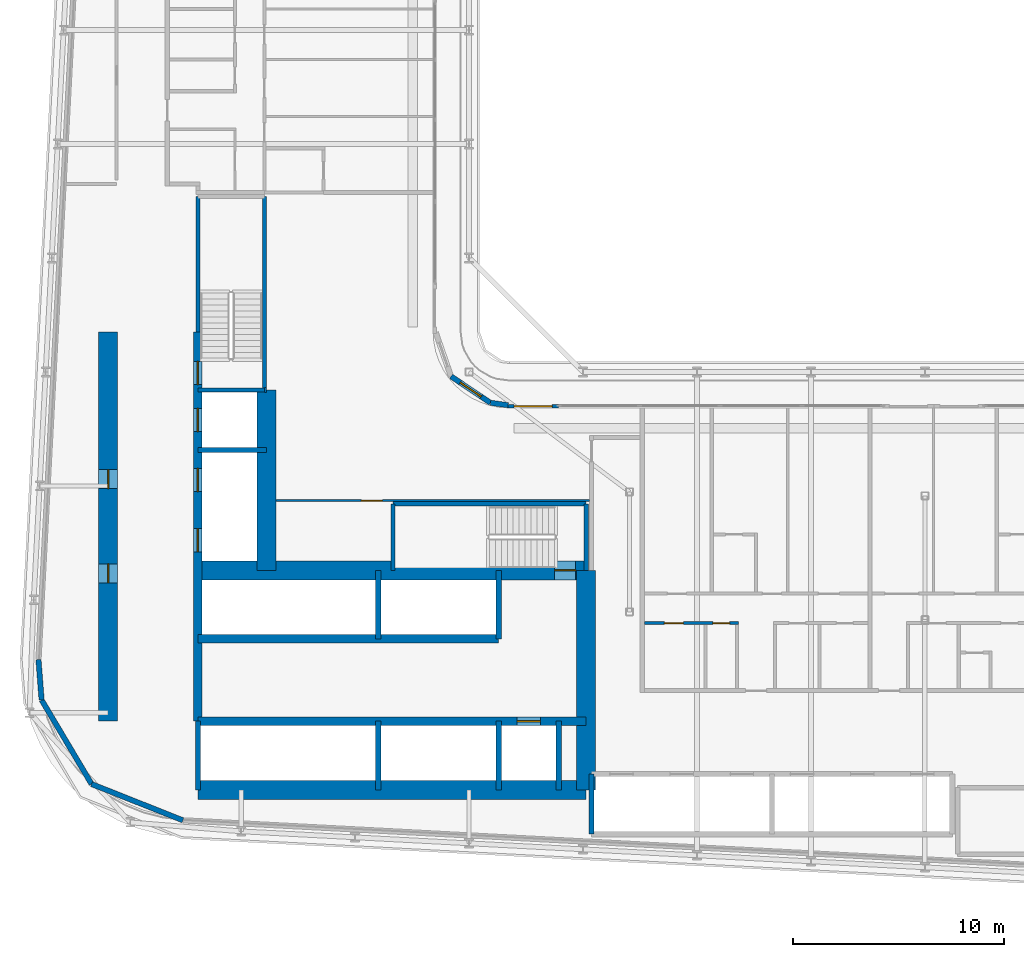
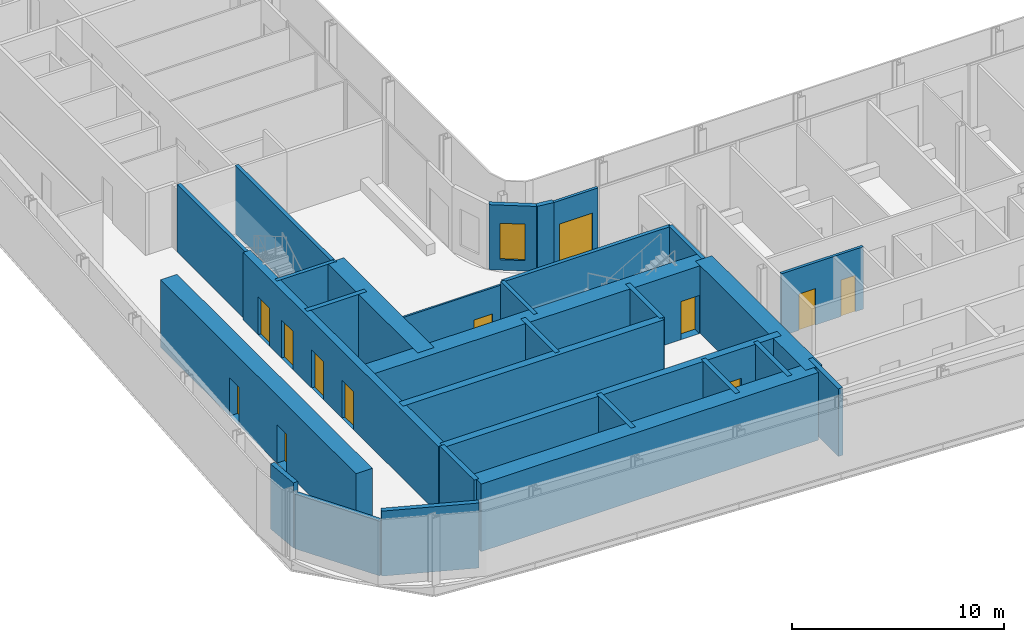
# One storey, part 14 of 29: 31 walls, 12 doors, 1 window, 13 openings.
"""IFC4 building model written with IfcOpenShell, lengths in metres."""

from ifc_helpers import new_model, si_unit, direction, frame, frame_2d, origin, place, context, subcontext, project, spatial, rectangle, extrude, source, transform, mapped, material, layer, layer_set, type_object, element, fill, save


model = new_model("IFC4")

# Units and contexts
model_context = context("Model", 3, precision=1e-05, world=origin(), true_north=direction((0.0, 1.0)))
body_context = subcontext(model_context, "Body", "Model", "MODEL_VIEW")
ifc_project = project(units=[si_unit("LENGTHUNIT", "METRE"), si_unit("AREAUNIT", "SQUARE_METRE"), si_unit("VOLUMEUNIT", "CUBIC_METRE"), si_unit("PLANEANGLEUNIT", "RADIAN"), si_unit("MASSUNIT", "GRAM", prefix="KILO")], contexts=[model_context])

# Site, building, storey
site_placement = place(None, origin())
site = spatial("IfcSite", under=ifc_project, at=site_placement, CompositionType="ELEMENT")
building_placement = place(site_placement, origin())
building = spatial("IfcBuilding", under=site, at=building_placement, Name="Kheshtan School and Residences Tower", CompositionType="ELEMENT")
storey_placement = place(building_placement, frame((0.0, 0.0, 121.39990234375)))
storey = spatial("IfcBuildingStorey", under=building, at=storey_placement, Name="L28", CompositionType="ELEMENT", Elevation=121.39990234375)

# Wall, opening, door
ifc_material_1 = material(Name="Concrete C50/60", Category="concrete")
ifc_layer_1 = layer(ifc_material_1, 0.39990234375)
ifc_layer_set_1 = layer_set([ifc_layer_1], Name="Core wall 400 Concrete C50/60")
wall_type_1 = type_object("IfcWallType", Name="Core wall 400 Concrete C50/60", PredefinedType="SHEAR", material=ifc_layer_set_1)
wall_1_placement = place(storey_placement, frame((34.75, 29.050048828125, 0.0), z_axis=(0.0, 0.0, 1.0), x_axis=(1.0, 0.0, 0.0)))
wall_1 = element("IfcWall", 1, at=wall_1_placement, inside=storey, type_object=wall_type_1, Name="Core wall CW-HALL-S1", PredefinedType="SHEAR", context=body_context, shape_type="SweptSolid", body=[
    extrude(rectangle(XDim=18.39990234375, YDim=0.39990234375, at=frame_2d((9.199951171875, 0.0))), origin(), (0.0, 0.0, 1.0), 3.900146484375),
])
opening_1_placement = place(wall_1_placement, frame((15.125, 0.0, 0.0)))
opening_1 = element("IfcOpeningElement", 2, at=opening_1_placement, cuts=wall_1, Name="Opening LD", PredefinedType="OPENING", context=body_context, shape_type="SweptSolid", body=[
    extrude(rectangle(XDim=1.10009765625, YDim=2.199951171875, at=frame_2d((0.550048828125, 1.10009765625))), frame((0.0, 0.2099609375, 0.0), z_axis=(0.0, -1.0, 0.0), x_axis=(1.0, 0.0, 0.0)), (0.0, 0.0, 1.0), 0.419921875),
])
ifc_material_2 = material(Name="Stainless steel door leaves", Category="steel")
door_type_1 = type_object("IfcDoorType", Name="Lift landing door 1100", OperationType="SLIDING_TO_LEFT", PredefinedType="DOOR", material=ifc_material_2)
shared_shape_1 = source(origin(), body_context, "Body", "SweptSolid", [
    extrude(rectangle(XDim=1.10009765625, YDim=2.199951171875, at=frame_2d((0.550048828125, 1.10009765625))), frame((0.0, 0.02490234375, 0.0), z_axis=(0.0, -1.0, 0.0), x_axis=(1.0, 0.0, 0.0)), (0.0, 0.0, 1.0), 0.050048828125),
])
door_1_placement = place(opening_1_placement, origin())
door_1 = element("IfcDoor", 3, at=door_1_placement, inside=storey, type_object=door_type_1, Name="Lift FFL2 landing door", OperationType="SLIDING_TO_LEFT", OverallHeight=2.199951171875, OverallWidth=1.10009765625, PredefinedType="DOOR", context=body_context, shape_type="MappedRepresentation", body=[
    mapped(shared_shape_1, transform((0.0, 0.0, 0.0), x_axis=(1.0, 0.0, 0.0), y_axis=(0.0, 1.0, 0.0), z_axis=(0.0, 0.0, 1.0), scale=1.0)),
])
fill(opening_1, door_1)

# Wall
wall_2_placement = place(storey_placement, frame((34.75, 32.949951171875, 0.0), z_axis=(0.0, 0.0, 1.0), x_axis=(1.0, 0.0, 0.0)))
element("IfcWall", 4, at=wall_2_placement, inside=storey, type_object=wall_type_1, Name="Core wall CW-HALL-S2", PredefinedType="SHEAR", context=body_context, shape_type="SweptSolid", body=[
    extrude(rectangle(XDim=14.25, YDim=0.39990234375, at=frame_2d((7.125, 0.0))), origin(), (0.0, 0.0, 1.0), 3.900146484375),
])

# Wall, openings, doors
wall_3_placement = place(storey_placement, frame((34.75, 29.050048828125, 0.0), z_axis=(0.0, 0.0, 1.0), x_axis=(0.0, 1.0, 0.0)))
wall_3 = element("IfcWall", 5, at=wall_3_placement, inside=storey, type_object=wall_type_1, Name="Core wall CW-HALL-W1", PredefinedType="SHEAR", context=body_context, shape_type="SweptSolid", body=[
    extrude(rectangle(XDim=18.449951171875, YDim=0.39990234375, at=frame_2d((9.22509765625, 0.0))), origin(), (0.0, 0.0, 1.0), 3.900146484375),
])
opening_2_placement = place(wall_3_placement, frame((8.02490234375, 0.0, 0.0)))
opening_2 = element("IfcOpeningElement", 6, at=opening_2_placement, cuts=wall_3, Name="Opening LD", PredefinedType="OPENING", context=body_context, shape_type="SweptSolid", body=[
    extrude(rectangle(XDim=1.10009765625, YDim=2.199951171875, at=frame_2d((0.550048828125, 1.10009765625))), frame((0.0, 0.2099609375, 0.0), z_axis=(0.0, -1.0, 0.0), x_axis=(1.0, 0.0, 0.0)), (0.0, 0.0, 1.0), 0.419921875),
])
opening_3_placement = place(wall_3_placement, frame((10.875, 0.0, 0.0)))
opening_3 = element("IfcOpeningElement", 7, at=opening_3_placement, cuts=wall_3, Name="Opening LD", PredefinedType="OPENING", context=body_context, shape_type="SweptSolid", body=[
    extrude(rectangle(XDim=1.10009765625, YDim=2.199951171875, at=frame_2d((0.550048828125, 1.10009765625))), frame((0.0, 0.2099609375, 0.0), z_axis=(0.0, -1.0, 0.0), x_axis=(1.0, 0.0, 0.0)), (0.0, 0.0, 1.0), 0.419921875),
])
opening_4_placement = place(wall_3_placement, frame((13.72509765625, 0.0, 0.0)))
opening_4 = element("IfcOpeningElement", 8, at=opening_4_placement, cuts=wall_3, Name="Opening LD", PredefinedType="OPENING", context=body_context, shape_type="SweptSolid", body=[
    extrude(rectangle(XDim=1.10009765625, YDim=2.199951171875, at=frame_2d((0.550048828125, 1.10009765625))), frame((0.0, 0.2099609375, 0.0), z_axis=(0.0, -1.0, 0.0), x_axis=(1.0, 0.0, 0.0)), (0.0, 0.0, 1.0), 0.419921875),
])
opening_5_placement = place(wall_3_placement, frame((15.949951171875, 0.0, 0.0)))
opening_5 = element("IfcOpeningElement", 9, at=opening_5_placement, cuts=wall_3, Name="Opening ST2D", PredefinedType="OPENING", context=body_context, shape_type="SweptSolid", body=[
    extrude(rectangle(XDim=1.10009765625, YDim=2.199951171875, at=frame_2d((0.550048828125, 1.10009765625))), frame((0.0, 0.2099609375, 0.0), z_axis=(0.0, -1.0, 0.0), x_axis=(1.0, 0.0, 0.0)), (0.0, 0.0, 1.0), 0.419921875),
])
door_2_placement = place(opening_2_placement, origin())
door_2 = element("IfcDoor", 10, at=door_2_placement, inside=storey, type_object=door_type_1, Name="Lift SV1 landing door", OperationType="SLIDING_TO_LEFT", OverallHeight=2.199951171875, OverallWidth=1.10009765625, PredefinedType="DOOR", context=body_context, shape_type="MappedRepresentation", body=[
    mapped(shared_shape_1, transform((0.0, 0.0, 0.0), x_axis=(1.0, 0.0, 0.0), y_axis=(0.0, 1.0, 0.0), z_axis=(0.0, 0.0, 1.0), scale=1.0)),
])
fill(opening_2, door_2)
door_3_placement = place(opening_3_placement, origin())
door_3 = element("IfcDoor", 11, at=door_3_placement, inside=storey, type_object=door_type_1, Name="Lift SV2 landing door", OperationType="SLIDING_TO_LEFT", OverallHeight=2.199951171875, OverallWidth=1.10009765625, PredefinedType="DOOR", context=body_context, shape_type="MappedRepresentation", body=[
    mapped(shared_shape_1, transform((0.0, 0.0, 0.0), x_axis=(1.0, 0.0, 0.0), y_axis=(0.0, 1.0, 0.0), z_axis=(0.0, 0.0, 1.0), scale=1.0)),
])
fill(opening_3, door_3)
door_4_placement = place(opening_4_placement, origin())
door_4 = element("IfcDoor", 12, at=door_4_placement, inside=storey, type_object=door_type_1, Name="Lift FFL1 landing door", OperationType="SLIDING_TO_LEFT", OverallHeight=2.199951171875, OverallWidth=1.10009765625, PredefinedType="DOOR", context=body_context, shape_type="MappedRepresentation", body=[
    mapped(shared_shape_1, transform((0.0, 0.0, 0.0), x_axis=(1.0, 0.0, 0.0), y_axis=(0.0, 1.0, 0.0), z_axis=(0.0, 0.0, 1.0), scale=1.0)),
])
fill(opening_4, door_4)
ifc_material_3 = material(Name="Steel door leaf, galvanised", Category="steel")
door_type_2 = type_object("IfcDoorType", Name="Stair door 1100 steel 90 min", OperationType="SINGLE_SWING_LEFT", PredefinedType="DOOR", material=ifc_material_3)
shared_shape_2 = source(origin(), body_context, "Body", "SweptSolid", [
    extrude(rectangle(XDim=1.10009765625, YDim=2.199951171875, at=frame_2d((0.550048828125, 1.10009765625))), frame((0.0, 0.02490234375, 0.0), z_axis=(0.0, -1.0, 0.0), x_axis=(1.0, 0.0, 0.0)), (0.0, 0.0, 1.0), 0.050048828125),
])
door_5_placement = place(opening_5_placement, origin())
door_5 = element("IfcDoor", 13, at=door_5_placement, inside=storey, type_object=door_type_2, Name="Stair ST2 door", OperationType="SINGLE_SWING_RIGHT", OverallHeight=2.199951171875, OverallWidth=1.10009765625, PredefinedType="DOOR", context=body_context, shape_type="MappedRepresentation", body=[
    mapped(shared_shape_2, transform((0.0, 0.0, 0.0), x_axis=(1.0, 0.0, 0.0), y_axis=(0.0, 1.0, 0.0), z_axis=(0.0, 0.0, 1.0), scale=1.0)),
])
fill(opening_5, door_5)

# Wall
ifc_material_4 = material(Name="Concrete C80/95", Category="concrete")
ifc_layer_2 = layer(ifc_material_4, 0.89990234375)
ifc_layer_set_2 = layer_set([ifc_layer_2], Name="Core wall 900 Concrete C80/95")
wall_type_2 = type_object("IfcWallType", Name="Core wall 900 Concrete C80/95", PredefinedType="SHEAR", material=ifc_layer_set_2)
wall_4_placement = place(storey_placement, frame((34.75, 25.800048828125, 0.0), z_axis=(0.0, 0.0, 1.0), x_axis=(1.0, 0.0, 0.0)))
element("IfcWall", 14, at=wall_4_placement, inside=storey, type_object=wall_type_2, Name="Core wall CW-REAR-S", PredefinedType="SHEAR", context=body_context, shape_type="SweptSolid", body=[
    extrude(rectangle(XDim=18.39990234375, YDim=0.89990234375, at=frame_2d((9.199951171875, 0.0))), origin(), (0.0, 0.0, 1.0), 3.900146484375),
])

# Wall, opening, door
wall_5_placement = place(storey_placement, frame((34.75, 36.199951171875, 0.0), z_axis=(0.0, 0.0, 1.0), x_axis=(1.0, 0.0, 0.0)))
wall_5 = element("IfcWall", 15, at=wall_5_placement, inside=storey, type_object=wall_type_2, Name="Core wall CW-FRONT-S", PredefinedType="SHEAR", context=body_context, shape_type="SweptSolid", body=[
    extrude(rectangle(XDim=18.39990234375, YDim=0.89990234375, at=frame_2d((9.199951171875, 0.0))), origin(), (0.0, 0.0, 1.0), 3.900146484375),
])
opening_6_placement = place(wall_5_placement, frame((16.89990234375, 0.0, 0.0)))
opening_6 = element("IfcOpeningElement", 16, at=opening_6_placement, cuts=wall_5, Name="Opening ST1D", PredefinedType="OPENING", context=body_context, shape_type="SweptSolid", body=[
    extrude(rectangle(XDim=1.0, YDim=2.199951171875, at=frame_2d((0.5, 1.10009765625))), frame((0.0, 0.4599609375, 0.0), z_axis=(0.0, -1.0, 0.0), x_axis=(1.0, 0.0, 0.0)), (0.0, 0.0, 1.0), 0.919921875),
])
shared_shape_3 = source(origin(), body_context, "Body", "SweptSolid", [
    extrude(rectangle(XDim=1.0, YDim=2.199951171875, at=frame_2d((0.5, 1.10009765625))), frame((0.0, 0.02490234375, 0.0), z_axis=(0.0, -1.0, 0.0), x_axis=(1.0, 0.0, 0.0)), (0.0, 0.0, 1.0), 0.050048828125),
])
door_6_placement = place(opening_6_placement, origin())
door_6 = element("IfcDoor", 17, at=door_6_placement, inside=storey, type_object=door_type_2, Name="Stair ST1 door", OperationType="SINGLE_SWING_RIGHT", OverallHeight=2.199951171875, OverallWidth=1.0, PredefinedType="DOOR", context=body_context, shape_type="MappedRepresentation", body=[
    mapped(shared_shape_3, transform((0.0, 0.0, 0.0), x_axis=(1.0, 0.0, 0.0), y_axis=(0.0, 1.0, 0.0), z_axis=(0.0, 0.0, 1.0), scale=1.0)),
])
fill(opening_6, door_6)

# Wall
wall_6_placement = place(storey_placement, frame((38.0, 36.199951171875, 0.0), z_axis=(0.0, 0.0, 1.0), x_axis=(0.0, 1.0, 0.0)))
element("IfcWall", 18, at=wall_6_placement, inside=storey, type_object=wall_type_2, Name="Core wall CW-FRONT-W", PredefinedType="SHEAR", context=body_context, shape_type="SweptSolid", body=[
    extrude(rectangle(XDim=8.550048828125, YDim=0.89990234375, at=frame_2d((4.27490234375, 0.0))), origin(), (0.0, 0.0, 1.0), 3.900146484375),
])

# Wall, openings, doors
wall_7_placement = place(storey_placement, frame((30.5, 29.050048828125, 0.0), z_axis=(0.0, 0.0, 1.0), x_axis=(0.0, 1.0, 0.0)))
wall_7 = element("IfcWall", 19, at=wall_7_placement, inside=storey, type_object=wall_type_2, Name="Core wall CW-REAR-W", PredefinedType="SHEAR", context=body_context, shape_type="SweptSolid", body=[
    extrude(rectangle(XDim=18.449951171875, YDim=0.89990234375, at=frame_2d((9.22509765625, 0.0))), origin(), (0.0, 0.0, 1.0), 3.900146484375),
])
opening_7_placement = place(wall_7_placement, frame((6.550048828125, 0.0, 0.0)))
opening_7 = element("IfcOpeningElement", 20, at=opening_7_placement, cuts=wall_7, Name="Opening SR90", PredefinedType="OPENING", context=body_context, shape_type="SweptSolid", body=[
    extrude(rectangle(XDim=0.89990234375, YDim=2.199951171875, at=frame_2d((0.449951171875, 1.10009765625))), frame((0.0, 0.4599609375, 0.0), z_axis=(0.0, -1.0, 0.0), x_axis=(1.0, 0.0, 0.0)), (0.0, 0.0, 1.0), 0.919921875),
])
opening_8_placement = place(wall_7_placement, frame((11.02490234375, 0.0, 0.0)))
opening_8 = element("IfcOpeningElement", 21, at=opening_8_placement, cuts=wall_7, Name="Opening SR90", PredefinedType="OPENING", context=body_context, shape_type="SweptSolid", body=[
    extrude(rectangle(XDim=0.89990234375, YDim=2.199951171875, at=frame_2d((0.449951171875, 1.10009765625))), frame((0.0, 0.4599609375, 0.0), z_axis=(0.0, -1.0, 0.0), x_axis=(1.0, 0.0, 0.0)), (0.0, 0.0, 1.0), 0.919921875),
])
door_type_3 = type_object("IfcDoorType", Name="Service room door 900 steel 90 min", OperationType="SINGLE_SWING_LEFT", PredefinedType="DOOR", material=ifc_material_3)
shared_shape_4 = source(origin(), body_context, "Body", "SweptSolid", [
    extrude(rectangle(XDim=0.89990234375, YDim=2.199951171875, at=frame_2d((0.449951171875, 1.10009765625))), frame((0.0, 0.02490234375, 0.0), z_axis=(0.0, -1.0, 0.0), x_axis=(1.0, 0.0, 0.0)), (0.0, 0.0, 1.0), 0.050048828125),
])
door_7_placement = place(opening_7_placement, origin())
door_7 = element("IfcDoor", 22, at=door_7_placement, inside=storey, type_object=door_type_3, Name="Service room door", OperationType="SINGLE_SWING_RIGHT", OverallHeight=2.199951171875, OverallWidth=0.89990234375, PredefinedType="DOOR", context=body_context, shape_type="MappedRepresentation", body=[
    mapped(shared_shape_4, transform((0.0, 0.0, 0.0), x_axis=(1.0, 0.0, 0.0), y_axis=(0.0, 1.0, 0.0), z_axis=(0.0, 0.0, 1.0), scale=1.0)),
])
fill(opening_7, door_7)
door_8_placement = place(opening_8_placement, origin())
door_8 = element("IfcDoor", 23, at=door_8_placement, inside=storey, type_object=door_type_3, Name="Service room door", OperationType="SINGLE_SWING_RIGHT", OverallHeight=2.199951171875, OverallWidth=0.89990234375, PredefinedType="DOOR", context=body_context, shape_type="MappedRepresentation", body=[
    mapped(shared_shape_4, transform((0.0, 0.0, 0.0), x_axis=(1.0, 0.0, 0.0), y_axis=(0.0, 1.0, 0.0), z_axis=(0.0, 0.0, 1.0), scale=1.0)),
])
fill(opening_8, door_8)

# Walls
wall_8_placement = place(storey_placement, frame((53.14990234375, 25.800048828125, 0.0), z_axis=(0.0, 0.0, 1.0), x_axis=(0.0, 1.0, 0.0)))
element("IfcWall", 24, at=wall_8_placement, inside=storey, type_object=wall_type_2, Name="Core wall CW-EAST", PredefinedType="SHEAR", context=body_context, shape_type="SweptSolid", body=[
    extrude(rectangle(XDim=10.39990234375, YDim=0.89990234375, at=frame_2d((5.199951171875, 0.0))), origin(), (0.0, 0.0, 1.0), 3.900146484375),
])
ifc_material_5 = material(Name="Concrete C40/50 with ceramic cladding and mineral wool insulation", Category="concrete")
ifc_layer_3 = layer(ifc_material_5, 0.25)
ifc_layer_set_3 = layer_set([ifc_layer_3], Name="External wall 250 ceramic clad")
wall_type_3 = type_object("IfcWallType", Name="External wall 250 ceramic clad", PredefinedType="SOLIDWALL", material=ifc_layer_set_3)
wall_9_placement = place(storey_placement, frame((34.0390625, 24.35302734375, 0.0), z_axis=(0.0, 0.0, 1.0), x_axis=(-0.929352825399, 0.369192803184, 0.0)))
element("IfcWall", 25, at=wall_9_placement, inside=storey, type_object=wall_type_3, Name="External wall L28 1", PredefinedType="SOLIDWALL", context=body_context, shape_type="SweptSolid", body=[
    extrude(rectangle(XDim=4.656005859375, YDim=0.25, at=frame_2d((2.328125, 0.0))), origin(), (0.0, 0.0, 1.0), 3.75),
])
wall_10_placement = place(storey_placement, frame((29.7119140625, 26.072021484375, 0.0), z_axis=(0.0, 0.0, 1.0), x_axis=(-0.511028049012, 0.859564036662, 0.0)))
element("IfcWall", 26, at=wall_10_placement, inside=storey, type_object=wall_type_3, Name="External wall L28 2", PredefinedType="SOLIDWALL", context=body_context, shape_type="SweptSolid", body=[
    extrude(rectangle(XDim=4.633544921875, YDim=0.25, at=frame_2d((2.31689453125, 0.0))), origin(), (0.0, 0.0, 1.0), 3.147216796875),
])
wall_11_placement = place(storey_placement, frame((27.343994140625, 30.054931640625, 0.0), z_axis=(0.0, 0.0, 1.0), x_axis=(-0.077571675317, 0.99698677784, 0.0)))
element("IfcWall", 27, at=wall_11_placement, inside=storey, type_object=wall_type_3, Name="External wall L28 3", PredefinedType="SOLIDWALL", context=body_context, shape_type="SweptSolid", body=[
    extrude(rectangle(XDim=1.919921875, YDim=0.25, at=frame_2d((0.9599609375, 0.0))), origin(), (0.0, 0.0, 1.0), 3.75),
])

# Wall, opening, window
wall_12_placement = place(storey_placement, frame((46.742919921875, 45.388916015625, 0.0), z_axis=(0.0, 0.0, 1.0), x_axis=(0.831449265529, -0.555600682912, 0.0)))
wall_12 = element("IfcWall", 28, at=wall_12_placement, inside=storey, type_object=wall_type_3, Name="External wall L28 10", PredefinedType="SOLIDWALL", context=body_context, shape_type="SweptSolid", body=[
    extrude(rectangle(XDim=2.25146484375, YDim=0.25, at=frame_2d((1.125732421875, 0.0))), origin(), (0.0, 0.0, 1.0), 3.75),
])
opening_9_placement = place(wall_12_placement, frame((0.52490234375, 0.0, 0.60009765625)))
opening_9 = element("IfcOpeningElement", 29, at=opening_9_placement, cuts=wall_12, Name="Opening WN-E", PredefinedType="OPENING", context=body_context, shape_type="SweptSolid", body=[
    extrude(rectangle(XDim=1.199951171875, YDim=2.10009765625, at=frame_2d((0.60009765625, 1.050048828125))), frame((0.0, 0.135009765625, 0.0), z_axis=(0.0, -1.0, 0.0), x_axis=(1.0, 0.0, 0.0)), (0.0, 0.0, 1.0), 0.27001953125),
])
ifc_material_6 = material(Name="Clear low-e glass in thermally broken aluminium frame", Category="aluminium")
window_type = type_object("IfcWindowType", Name="Window WN-E", PartitioningType="SINGLE_PANEL", PredefinedType="WINDOW", material=ifc_material_6)
shared_shape_5 = source(origin(), body_context, "Body", "SweptSolid", [
    extrude(rectangle(XDim=1.199951171875, YDim=2.10009765625, at=frame_2d((0.60009765625, 1.050048828125))), frame((0.0, 0.030029296875, 0.0), z_axis=(0.0, -1.0, 0.0), x_axis=(1.0, 0.0, 0.0)), (0.0, 0.0, 1.0), 0.06005859375),
])
window_placement = place(opening_9_placement, origin())
window = element("IfcWindow", 30, at=window_placement, inside=storey, type_object=window_type, Name="Window L28 10", OverallHeight=2.10009765625, OverallWidth=1.199951171875, PartitioningType="SINGLE_PANEL", PredefinedType="WINDOW", context=body_context, shape_type="MappedRepresentation", body=[
    mapped(shared_shape_5, transform((0.0, 0.0, 0.0), x_axis=(1.0, 0.0, 0.0), y_axis=(0.0, 1.0, 0.0), z_axis=(0.0, 0.0, 1.0), scale=1.0)),
])
fill(opening_9, window)

# Wall
wall_13_placement = place(storey_placement, frame((48.614990234375, 44.137939453125, 0.0), z_axis=(0.0, 0.0, 1.0), x_axis=(0.990741504246, -0.135761819977, 0.0)))
element("IfcWall", 31, at=wall_13_placement, inside=storey, type_object=wall_type_3, Name="External wall L28 11", PredefinedType="SOLIDWALL", context=body_context, shape_type="SweptSolid", body=[
    extrude(rectangle(XDim=0.83984375, YDim=0.25, at=frame_2d((0.419921875, 0.0))), origin(), (0.0, 0.0, 1.0), 3.75),
])

# Wall, opening, door
ifc_material_7 = material(Name="Aluminium frame wall with insulated infill", Category="aluminium")
ifc_layer_4 = layer(ifc_material_7, 0.14990234375)
ifc_layer_set_4 = layer_set([ifc_layer_4], Name="Glazing frame wall 150")
wall_type_4 = type_object("IfcWallType", Name="Glazing frame wall 150", PredefinedType="SOLIDWALL", material=ifc_layer_set_4)
wall_14_placement = place(storey_placement, frame((49.429931640625, 43.97509765625, 0.0), z_axis=(0.0, 0.0, 1.0), x_axis=(1.0, 0.0, 0.0)))
wall_14 = element("IfcWall", 32, at=wall_14_placement, inside=storey, type_object=wall_type_4, Name="Balcony door wall L28 12.1", PredefinedType="SOLIDWALL", context=body_context, shape_type="SweptSolid", body=[
    extrude(rectangle(XDim=2.400146484375, YDim=0.14990234375, at=frame_2d((1.2001953125, 0.0))), origin(), (0.0, 0.0, 1.0), 3.75),
])
opening_10_placement = place(wall_14_placement, frame((0.300048828125, 0.0, 0.0)))
opening_10 = element("IfcOpeningElement", 33, at=opening_10_placement, cuts=wall_14, Name="Opening BD", PredefinedType="OPENING", context=body_context, shape_type="SweptSolid", body=[
    extrude(rectangle(XDim=1.800048828125, YDim=2.39990234375, at=frame_2d((0.89990234375, 1.199951171875))), frame((0.0, 0.0849609375, 0.0), z_axis=(0.0, -1.0, 0.0), x_axis=(1.0, 0.0, 0.0)), (0.0, 0.0, 1.0), 0.169921875),
])
door_type_4 = type_object("IfcDoorType", Name="Balcony sliding door", OperationType="SLIDING_TO_LEFT", PredefinedType="DOOR", material=ifc_material_6)
shared_shape_6 = source(origin(), body_context, "Body", "SweptSolid", [
    extrude(rectangle(XDim=1.800048828125, YDim=2.39990234375, at=frame_2d((0.89990234375, 1.199951171875))), frame((0.0, 0.02490234375, 0.0), z_axis=(0.0, -1.0, 0.0), x_axis=(1.0, 0.0, 0.0)), (0.0, 0.0, 1.0), 0.050048828125),
])
door_9_placement = place(opening_10_placement, origin())
door_9 = element("IfcDoor", 34, at=door_9_placement, inside=storey, type_object=door_type_4, Name="Balcony door L28 12.1", OperationType="SLIDING_TO_LEFT", OverallHeight=2.39990234375, OverallWidth=1.800048828125, PredefinedType="DOOR", context=body_context, shape_type="MappedRepresentation", body=[
    mapped(shared_shape_6, transform((0.0, 0.0, 0.0), x_axis=(1.0, 0.0, 0.0), y_axis=(0.0, 1.0, 0.0), z_axis=(0.0, 0.0, 1.0), scale=1.0)),
])
fill(opening_10, door_9)

ifc_material_8 = material(Name="Gypsum board on steel studs", Category="steel")
ifc_layer_5 = layer(ifc_material_8, 0.10009765625)
ifc_layer_set_5 = layer_set([ifc_layer_5], Name="Gypsum partition 100")
wall_type_5 = type_object("IfcWallType", Name="Gypsum partition 100", PredefinedType="PARTITIONING", material=ifc_layer_set_5)
wall_15_placement = place(storey_placement, frame((38.448974609375, 39.5, 0.0), z_axis=(0.0, 0.0, 1.0), x_axis=(1.0, 0.0, 0.0)))
wall_15 = element("IfcWall", 35, at=wall_15_placement, inside=storey, type_object=wall_type_5, Name="Partition L28-044", PredefinedType="PARTITIONING", context=body_context, shape_type="SweptSolid", body=[
    extrude(rectangle(XDim=14.85107421875, YDim=0.10009765625, at=frame_2d((7.425537109375, 0.0))), origin(), (0.0, 0.0, 1.0), 3.60009765625),
])
opening_11_placement = place(wall_15_placement, frame((4.047119140625, 0.0, 0.0)))
opening_11 = element("IfcOpeningElement", 36, at=opening_11_placement, cuts=wall_15, Name="Opening D27-066", PredefinedType="OPENING", context=body_context, shape_type="SweptSolid", body=[
    extrude(rectangle(XDim=1.0, YDim=2.10009765625, at=frame_2d((0.5, 1.050048828125))), frame((0.0, 0.06005859375, 0.0), z_axis=(0.0, -1.0, 0.0), x_axis=(1.0, 0.0, 0.0)), (0.0, 0.0, 1.0), 0.1201171875),
])
ifc_material_9 = material(Name="Veneered timber door leaf", Category="wood")
door_type_5 = type_object("IfcDoorType", Name="Door 1000 x 2100", OperationType="SINGLE_SWING_LEFT", PredefinedType="DOOR", material=ifc_material_9)
shared_shape_7 = source(origin(), body_context, "Body", "SweptSolid", [
    extrude(rectangle(XDim=1.0, YDim=2.10009765625, at=frame_2d((0.5, 1.050048828125))), frame((0.0, 0.02490234375, 0.0), z_axis=(0.0, -1.0, 0.0), x_axis=(1.0, 0.0, 0.0)), (0.0, 0.0, 1.0), 0.050048828125),
])
door_10_placement = place(opening_11_placement, origin())
door_10 = element("IfcDoor", 37, at=door_10_placement, inside=storey, type_object=door_type_5, Name="Door D27-066", OperationType="SINGLE_SWING_LEFT", OverallHeight=2.10009765625, OverallWidth=1.0, PredefinedType="DOOR", context=body_context, shape_type="MappedRepresentation", body=[
    mapped(shared_shape_7, transform((0.0, 0.0, 0.0), x_axis=(1.0, 0.0, 0.0), y_axis=(0.0, 1.0, 0.0), z_axis=(0.0, 0.0, 1.0), scale=1.0)),
])
fill(opening_11, door_10)

# Walls
ifc_material_10 = material(Name="Fire-board shaft wall system")
ifc_layer_6 = layer(ifc_material_10, 0.25)
ifc_layer_set_6 = layer_set([ifc_layer_6], Name="Shaft lining wall 250")
wall_type_6 = type_object("IfcWallType", Name="Shaft lining wall 250", PredefinedType="PARTITIONING", material=ifc_layer_set_6)
for number, where, z_axis, x_axis, name in (
    (38, (34.75, 25.800048828125, 0.0), (0.0, 0.0, 1.0), (0.0, 1.0, 0.0), "Shaft lining wall"),
    (39, (43.300048828125, 25.800048828125, 0.0), (0.0, 0.0, 1.0), (0.0, 1.0, 0.0), "Shaft lining wall"),
    (40, (43.300048828125, 32.949951171875, 0.0), (0.0, 0.0, 1.0), (0.0, 1.0, 0.0), "Shaft lining wall"),
    (41, (49.0, 25.800048828125, 0.0), (0.0, 0.0, 1.0), (0.0, 1.0, 0.0), "Shaft lining wall"),
    (42, (49.0, 32.949951171875, 0.0), (0.0, 0.0, 1.0), (0.0, 1.0, 0.0), "Shaft lining wall"),
    (43, (51.85009765625, 25.800048828125, 0.0), (0.0, 0.0, 1.0), (0.0, 1.0, 0.0), "Shaft lining wall"),
):
    element("IfcWall", number, at=place(storey_placement, frame(where, z_axis=z_axis, x_axis=x_axis)), inside=storey, type_object=wall_type_6, Name=name, PredefinedType="PARTITIONING", context=body_context, shape_type="SweptSolid", body=[
        extrude(rectangle(XDim=3.25, YDim=0.25, at=frame_2d((1.625, 0.0))), origin(), (0.0, 0.0, 1.0), 3.900146484375),
    ])
wall_16_placement = place(storey_placement, frame((53.39990234375, 23.699951171875, 0.0), z_axis=(0.0, 0.0, 1.0), x_axis=(0.0, 1.0, 0.0)))
element("IfcWall", 44, at=wall_16_placement, inside=storey, type_object=wall_type_6, Name="Shaft lining wall", PredefinedType="PARTITIONING", context=body_context, shape_type="SweptSolid", body=[
    extrude(rectangle(XDim=2.85009765625, YDim=0.25, at=frame_2d((1.425048828125, 0.0))), origin(), (0.0, 0.0, 1.0), 3.900146484375),
])
wall_17_placement = place(storey_placement, frame((34.75, 41.89990234375, 0.0), z_axis=(0.0, 0.0, 1.0), x_axis=(1.0, 0.0, 0.0)))
element("IfcWall", 45, at=wall_17_placement, inside=storey, type_object=wall_type_6, Name="Shaft lining wall", PredefinedType="PARTITIONING", context=body_context, shape_type="SweptSolid", body=[
    extrude(rectangle(XDim=3.25, YDim=0.25, at=frame_2d((1.625, 0.0))), origin(), (0.0, 0.0, 1.0), 3.900146484375),
])
wall_18_placement = place(storey_placement, frame((37.89990234375, 44.75, 0.0), z_axis=(0.0, 0.0, 1.0), x_axis=(1.0, 0.0, 0.0)))
element("IfcWall", 46, at=wall_18_placement, inside=storey, type_object=wall_type_6, Name="Shaft lining wall", PredefinedType="PARTITIONING", context=body_context, shape_type="SweptSolid", body=[
    extrude(rectangle(XDim=0.10009765625, YDim=0.25, at=frame_2d((0.050048828125, 0.0))), origin(), (0.0, 0.0, 1.0), 3.900146484375),
])
ifc_material_11 = material(Name="Concrete C40/50", Category="concrete")
ifc_layer_7 = layer(ifc_material_11, 0.199951171875)
ifc_layer_set_7 = layer_set([ifc_layer_7], Name="Stair enclosure wall 200 Concrete C40/50")
wall_type_7 = type_object("IfcWallType", Name="Stair enclosure wall 200 Concrete C40/50", PredefinedType="SHEAR", material=ifc_layer_set_7)
wall_19_placement = place(storey_placement, frame((43.989990234375, 39.35009765625, 0.0), z_axis=(0.0, 0.0, 1.0), x_axis=(1.0, 0.0, 0.0)))
element("IfcWall", 47, at=wall_19_placement, inside=storey, type_object=wall_type_7, Name="Stair enclosure wall ST1", PredefinedType="SHEAR", context=body_context, shape_type="SweptSolid", body=[
    extrude(rectangle(XDim=9.159912109375, YDim=0.199951171875, at=frame_2d((4.580078125, 0.0))), origin(), (0.0, 0.0, 1.0), 3.900146484375),
])
for number, where, z_axis, x_axis, name in (
    (48, (43.989990234375, 36.199951171875, 0.0), (0.0, 0.0, 1.0), (0.0, 1.0, 0.0), "Stair enclosure wall ST1"),
    (49, (53.14990234375, 36.199951171875, 0.0), (0.0, 0.0, 1.0), (0.0, 1.0, 0.0), "Stair enclosure wall ST1"),
):
    element("IfcWall", number, at=place(storey_placement, frame(where, z_axis=z_axis, x_axis=x_axis)), inside=storey, type_object=wall_type_7, Name=name, PredefinedType="SHEAR", context=body_context, shape_type="SweptSolid", body=[
        extrude(rectangle(XDim=3.150146484375, YDim=0.199951171875, at=frame_2d((1.5751953125, 0.0))), origin(), (0.0, 0.0, 1.0), 3.900146484375),
    ])
wall_20_placement = place(storey_placement, frame((34.75, 44.75, 0.0), z_axis=(0.0, 0.0, 1.0), x_axis=(1.0, 0.0, 0.0)))
element("IfcWall", 50, at=wall_20_placement, inside=storey, type_object=wall_type_7, Name="Stair enclosure wall ST2", PredefinedType="SHEAR", context=body_context, shape_type="SweptSolid", body=[
    extrude(rectangle(XDim=3.14990234375, YDim=0.199951171875, at=frame_2d((1.574951171875, 0.0))), origin(), (0.0, 0.0, 1.0), 3.900146484375),
])
wall_21_placement = place(storey_placement, frame((34.75, 47.5, 0.0), z_axis=(0.0, 0.0, 1.0), x_axis=(0.0, 1.0, 0.0)))
element("IfcWall", 51, at=wall_21_placement, inside=storey, type_object=wall_type_7, Name="Stair enclosure wall ST2", PredefinedType="SHEAR", context=body_context, shape_type="SweptSolid", body=[
    extrude(rectangle(XDim=6.409912109375, YDim=0.199951171875, at=frame_2d((3.205078125, 0.0))), origin(), (0.0, 0.0, 1.0), 3.900146484375),
])
wall_22_placement = place(storey_placement, frame((37.89990234375, 44.75, 0.0), z_axis=(0.0, 0.0, 1.0), x_axis=(0.0, 1.0, 0.0)))
element("IfcWall", 52, at=wall_22_placement, inside=storey, type_object=wall_type_7, Name="Stair enclosure wall ST2", PredefinedType="SHEAR", context=body_context, shape_type="SweptSolid", body=[
    extrude(rectangle(XDim=9.159912109375, YDim=0.199951171875, at=frame_2d((4.580078125, 0.0))), origin(), (0.0, 0.0, 1.0), 3.900146484375),
])

# Wall, openings, doors
ifc_material_12 = material(Name="Moisture-resistant gypsum board on steel studs", Category="steel")
ifc_layer_8 = layer(ifc_material_12, 0.14990234375)
ifc_layer_set_8 = layer_set([ifc_layer_8], Name="Wet-room partition 150")
wall_type_8 = type_object("IfcWallType", Name="Wet-room partition 150", PredefinedType="PARTITIONING", material=ifc_layer_set_8)
wall_23_placement = place(storey_placement, frame((55.89990234375, 33.699951171875, 0.0), z_axis=(0.0, 0.0, 1.0), x_axis=(1.0, 0.0, 0.0)))
wall_23 = element("IfcWall", 53, at=wall_23_placement, inside=storey, type_object=wall_type_8, Name="Partition L28-052", PredefinedType="PARTITIONING", context=body_context, shape_type="SweptSolid", body=[
    extrude(rectangle(XDim=4.47509765625, YDim=0.14990234375, at=frame_2d((2.237548828125, 0.0))), origin(), (0.0, 0.0, 1.0), 3.60009765625),
])
opening_12_placement = place(wall_23_placement, frame((0.949951171875, 0.0, 0.0)))
opening_12 = element("IfcOpeningElement", 54, at=opening_12_placement, cuts=wall_23, Name="Opening D27-006", PredefinedType="OPENING", context=body_context, shape_type="SweptSolid", body=[
    extrude(rectangle(XDim=0.89990234375, YDim=2.10009765625, at=frame_2d((0.449951171875, 1.050048828125))), frame((0.0, 0.0849609375, 0.0), z_axis=(0.0, -1.0, 0.0), x_axis=(1.0, 0.0, 0.0)), (0.0, 0.0, 1.0), 0.169921875),
])
opening_13_placement = place(wall_23_placement, frame((3.25, 0.0, 0.0)))
opening_13 = element("IfcOpeningElement", 55, at=opening_13_placement, cuts=wall_23, Name="Opening D27-009", PredefinedType="OPENING", context=body_context, shape_type="SweptSolid", body=[
    extrude(rectangle(XDim=0.800048828125, YDim=2.10009765625, at=frame_2d((0.39990234375, 1.050048828125))), frame((0.0, 0.0849609375, 0.0), z_axis=(0.0, -1.0, 0.0), x_axis=(1.0, 0.0, 0.0)), (0.0, 0.0, 1.0), 0.169921875),
])
door_type_6 = type_object("IfcDoorType", Name="Door 800 x 2100", OperationType="SINGLE_SWING_LEFT", PredefinedType="DOOR", material=ifc_material_9)
shared_shape_8 = source(origin(), body_context, "Body", "SweptSolid", [
    extrude(rectangle(XDim=0.800048828125, YDim=2.10009765625, at=frame_2d((0.39990234375, 1.050048828125))), frame((0.0, 0.02490234375, 0.0), z_axis=(0.0, -1.0, 0.0), x_axis=(1.0, 0.0, 0.0)), (0.0, 0.0, 1.0), 0.050048828125),
])
door_11_placement = place(opening_13_placement, origin())
door_11 = element("IfcDoor", 56, at=door_11_placement, inside=storey, type_object=door_type_6, Name="Door D27-009", OperationType="SINGLE_SWING_LEFT", OverallHeight=2.10009765625, OverallWidth=0.800048828125, PredefinedType="DOOR", context=body_context, shape_type="MappedRepresentation", body=[
    mapped(shared_shape_8, transform((0.0, 0.0, 0.0), x_axis=(1.0, 0.0, 0.0), y_axis=(0.0, 1.0, 0.0), z_axis=(0.0, 0.0, 1.0), scale=1.0)),
])
fill(opening_13, door_11)
door_type_7 = type_object("IfcDoorType", Name="Door 900 x 2100", OperationType="SINGLE_SWING_LEFT", PredefinedType="DOOR", material=ifc_material_9)
shared_shape_9 = source(origin(), body_context, "Body", "SweptSolid", [
    extrude(rectangle(XDim=0.89990234375, YDim=2.10009765625, at=frame_2d((0.449951171875, 1.050048828125))), frame((0.0, 0.02490234375, 0.0), z_axis=(0.0, -1.0, 0.0), x_axis=(1.0, 0.0, 0.0)), (0.0, 0.0, 1.0), 0.050048828125),
])
door_12_placement = place(opening_12_placement, origin())
door_12 = element("IfcDoor", 57, at=door_12_placement, inside=storey, type_object=door_type_7, Name="Door D27-006", OperationType="SINGLE_SWING_LEFT", OverallHeight=2.10009765625, OverallWidth=0.89990234375, PredefinedType="DOOR", context=body_context, shape_type="MappedRepresentation", body=[
    mapped(shared_shape_9, transform((0.0, 0.0, 0.0), x_axis=(1.0, 0.0, 0.0), y_axis=(0.0, 1.0, 0.0), z_axis=(0.0, 0.0, 1.0), scale=1.0)),
])
fill(opening_12, door_12)

save(model, "model.ifc")
